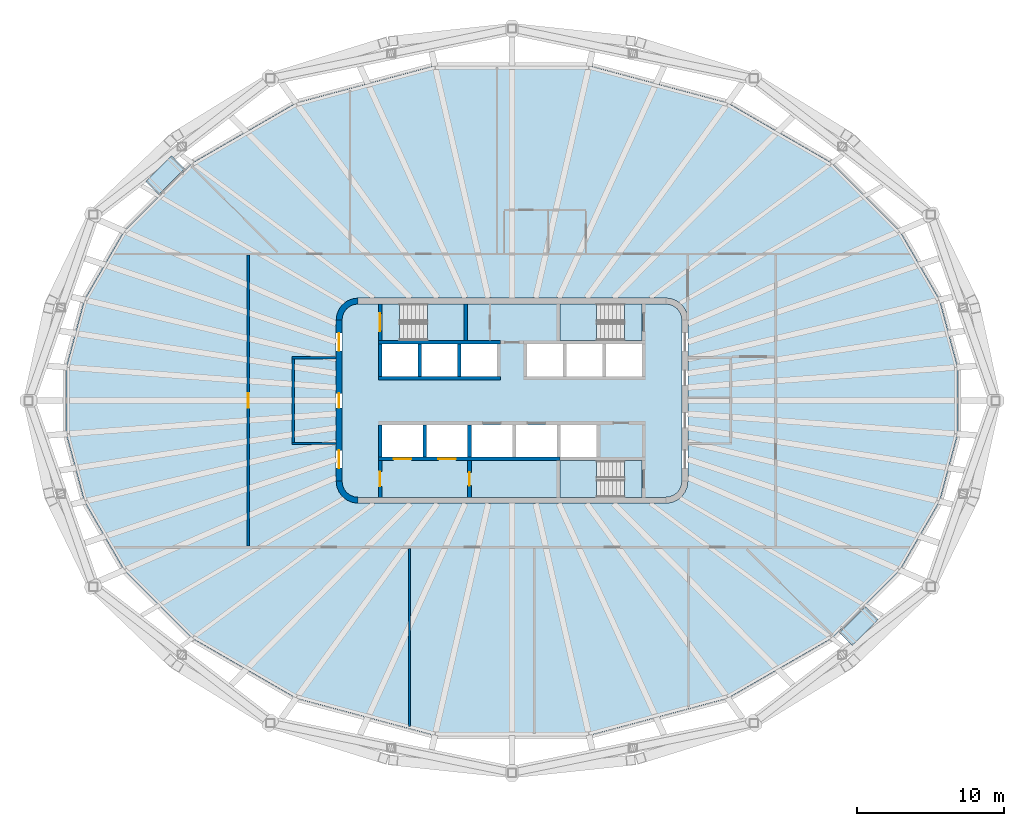
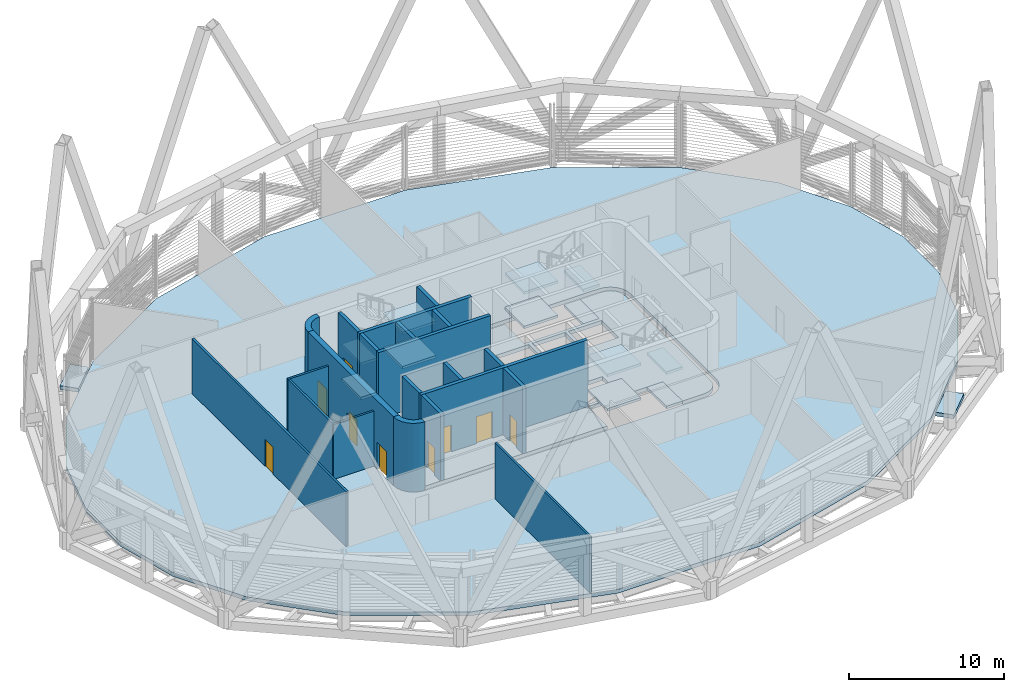
# One storey, part 5 of 17: 21 walls, 16 slabs, 9 doors, 9 openings, 3 elements without a shape of their own.
"""IFC4 building model written with IfcOpenShell, lengths in metres."""

from ifc_helpers import new_model, si_unit, direction, frame, frame_2d, origin, place, context, subcontext, project, spatial, polyline, rectangle, outline, extrude, material, layer, layer_set, type_object, element, fill, aggregate, save


model = new_model("IFC4")

# Units and contexts
model_context = context("Model", 3, precision=1e-05, world=origin(), true_north=direction((0.0, 1.0)))
body_context = subcontext(model_context, "Body", "Model", "MODEL_VIEW")
ifc_project = project(units=[si_unit("LENGTHUNIT", "METRE"), si_unit("AREAUNIT", "SQUARE_METRE"), si_unit("VOLUMEUNIT", "CUBIC_METRE"), si_unit("PLANEANGLEUNIT", "RADIAN"), si_unit("MASSUNIT", "GRAM", prefix="KILO")], contexts=[model_context])

# Site, building, storey
site_placement = place(None, origin())
site = spatial("IfcSite", under=ifc_project, at=site_placement, CompositionType="ELEMENT")
building_placement = place(site_placement, origin())
building = spatial("IfcBuilding", under=site, at=building_placement, Name="Sahrelin Media Tower", CompositionType="ELEMENT")
storey_placement = place(building_placement, frame((0.0, 0.0, 249.60009765625)))
storey = spatial("IfcBuildingStorey", under=building, at=storey_placement, Name="L54", CompositionType="ELEMENT", Elevation=249.60009765625)

# Slabs
ifc_material_1 = material(Name="Concrete C40/50", Category="concrete")
ifc_layer_1 = layer(ifc_material_1, 0.300048828125)
ifc_layer_set_1 = layer_set([ifc_layer_1], Name="Composite floor slab 300")
slab_type_1 = type_object("IfcSlabType", Name="Composite floor slab 300", PredefinedType="FLOOR", material=ifc_layer_set_1)
placement_1 = place(storey_placement, frame((0.0, 0.0, -0.300048828125)))
element("IfcSlab", 1, at=placement_1, inside=storey, type_object=slab_type_1, Name="Floor slab L54", PredefinedType="FLOOR", context=body_context, shape_type="SweptSolid", body=[
    extrude(outline(polyline([(30.422607421875, -2.27685546875), (30.422607421875, 2.27685546875), (29.190185546875, 6.876220703125), (26.481689453125, 11.5673828125), (21.8310546875, 16.218017578125), (14.7373046875, 20.313720703125), (5.263427734375, 22.85205078125), (-5.263427734375, 22.85205078125), (-14.7373046875, 20.313720703125), (-21.8310546875, 16.218017578125), (-26.481689453125, 11.5673828125), (-29.190185546875, 6.876220703125), (-30.422607421875, 2.27685546875), (-30.422607421875, -2.27685546875), (-29.190185546875, -6.876220703125), (-26.481689453125, -11.5673828125), (-21.8310546875, -16.218017578125), (-14.7373046875, -20.313720703125), (-5.263427734375, -22.85205078125), (5.263427734375, -22.85205078125), (14.7373046875, -20.313720703125), (21.8310546875, -16.218017578125), (26.481689453125, -11.5673828125), (29.190185546875, -6.876220703125), (30.422607421875, -2.27685546875)]), holes=[polyline([(11.948974609375, 5.88818359375), (12.0, 5.5), (12.0, -5.5), (11.948974609375, -5.88818359375), (11.799072265625, -6.25), (11.560791015625, -6.560791015625), (11.25, -6.799072265625), (10.88818359375, -6.948974609375), (10.5, -7.0), (-10.5, -7.0), (-10.88818359375, -6.948974609375), (-11.25, -6.799072265625), (-11.560791015625, -6.560791015625), (-11.799072265625, -6.25), (-11.948974609375, -5.88818359375), (-12.0, -5.5), (-12.0, 5.5), (-11.948974609375, 5.88818359375), (-11.799072265625, 6.25), (-11.560791015625, 6.560791015625), (-11.25, 6.799072265625), (-10.88818359375, 6.948974609375), (-10.5, 7.0), (10.5, 7.0), (10.88818359375, 6.948974609375), (11.25, 6.799072265625), (11.560791015625, 6.560791015625), (11.799072265625, 6.25), (11.948974609375, 5.88818359375)])]), origin(), (0.0, 0.0, 1.0), 0.300048828125),
])
ifc_layer_2 = layer(ifc_material_1, 0.300048828125)
ifc_layer_set_2 = layer_set([ifc_layer_2], Name="Core floor slab 300")
slab_type_2 = type_object("IfcSlabType", Name="Core floor slab 300", PredefinedType="FLOOR", material=ifc_layer_set_2)
element("IfcSlab", 2, at=placement_1, inside=storey, type_object=slab_type_2, Name="Core floor", PredefinedType="FLOOR", context=body_context, shape_type="SweptSolid", body=[
    extrude(outline(polyline([(-11.60009765625, -5.473876953125), (-11.55908203125, -5.78369140625), (-11.44970703125, -6.04833984375), (-11.275390625, -6.275390625), (-11.04833984375, -6.44970703125), (-10.78369140625, -6.55908203125), (-10.473876953125, -6.60009765625), (3.27490234375, -6.60009765625), (3.27490234375, -4.10009765625), (8.875, -4.10009765625), (8.875, -6.60009765625), (10.473876953125, -6.60009765625), (10.78369140625, -6.55908203125), (11.04833984375, -6.44970703125), (11.275390625, -6.275390625), (11.44970703125, -6.04833984375), (11.55908203125, -5.78369140625), (11.60009765625, -5.473876953125), (11.60009765625, 5.473876953125), (11.55908203125, 5.78369140625), (11.44970703125, 6.04833984375), (11.275390625, 6.275390625), (11.04833984375, 6.44970703125), (10.78369140625, 6.55908203125), (10.473876953125, 6.60009765625), (8.875, 6.60009765625), (8.875, 4.10009765625), (3.27490234375, 4.10009765625), (3.27490234375, 6.60009765625), (-3.27490234375, 6.60009765625), (-3.27490234375, 4.10009765625), (-8.875, 4.10009765625), (-8.875, 6.60009765625), (-10.473876953125, 6.60009765625), (-10.78369140625, 6.55908203125), (-11.04833984375, 6.44970703125), (-11.275390625, 6.275390625), (-11.44970703125, 6.04833984375), (-11.55908203125, 5.78369140625), (-11.60009765625, 5.473876953125), (-11.60009765625, -5.473876953125)]), holes=[polyline([(-8.875, 3.85009765625), (-8.875, 1.64990234375), (-6.425048828125, 1.64990234375), (-6.425048828125, 3.85009765625), (-8.875, 3.85009765625)]), polyline([(-3.72509765625, 3.85009765625), (-6.175048828125, 3.85009765625), (-6.175048828125, 1.64990234375), (-3.72509765625, 1.64990234375), (-3.72509765625, 3.85009765625)]), polyline([(-1.02490234375, 1.64990234375), (-1.02490234375, 3.85009765625), (-3.47509765625, 3.85009765625), (-3.47509765625, 1.64990234375), (-1.02490234375, 1.64990234375)]), polyline([(1.02490234375, 1.64990234375), (3.47509765625, 1.64990234375), (3.47509765625, 3.85009765625), (1.02490234375, 3.85009765625), (1.02490234375, 1.64990234375)]), polyline([(3.72509765625, 3.85009765625), (3.72509765625, 1.64990234375), (6.175048828125, 1.64990234375), (6.175048828125, 3.85009765625), (3.72509765625, 3.85009765625)]), polyline([(8.875, 3.85009765625), (6.425048828125, 3.85009765625), (6.425048828125, 1.64990234375), (8.875, 1.64990234375), (8.875, 3.85009765625)]), polyline([(-6.074951171875, -3.85009765625), (-6.074951171875, -1.64990234375), (-8.875, -1.64990234375), (-8.875, -3.85009765625), (-6.074951171875, -3.85009765625)]), polyline([(-5.824951171875, -3.85009765625), (-3.02490234375, -3.85009765625), (-3.02490234375, -1.64990234375), (-5.824951171875, -1.64990234375), (-5.824951171875, -3.85009765625)]), polyline([(-2.77490234375, -1.64990234375), (-2.77490234375, -3.85009765625), (0.02490234375, -3.85009765625), (0.02490234375, -1.64990234375), (-2.77490234375, -1.64990234375)]), polyline([(3.074951171875, -1.64990234375), (0.27490234375, -1.64990234375), (0.27490234375, -3.85009765625), (3.074951171875, -3.85009765625), (3.074951171875, -1.64990234375)]), polyline([(5.77490234375, -3.85009765625), (5.77490234375, -1.64990234375), (3.324951171875, -1.64990234375), (3.324951171875, -3.85009765625), (5.77490234375, -3.85009765625)])]), origin(), (0.0, 0.0, 1.0), 0.300048828125),
])
ifc_material_2 = material(Name="Steel S355", Category="steel")
ifc_layer_3 = layer(ifc_material_2, 0.14990234375)
ifc_layer_set_3 = layer_set([ifc_layer_3], Name="Maintenance platform")
slab_type_3 = type_object("IfcSlabType", Name="Maintenance platform", PredefinedType="FLOOR", material=ifc_layer_set_3)
element("IfcSlab", 3, at=placement_1, inside=storey, type_object=slab_type_3, Name="Maintenance platform L54-09", PredefinedType="FLOOR", context=body_context, shape_type="SweptSolid", body=[
    extrude(outline(polyline([(-22.349609375, 15.833740234375), (-24.117431640625, 14.06591796875), (-24.994140625, 14.942626953125), (-23.226318359375, 16.71044921875), (-22.349609375, 15.833740234375)])), origin(), (0.0, 0.0, 1.0), 0.300048828125),
])
element("IfcSlab", 4, at=placement_1, inside=storey, type_object=slab_type_3, Name="Maintenance platform L54-21", PredefinedType="FLOOR", context=body_context, shape_type="SweptSolid", body=[
    extrude(outline(polyline([(22.349609375, -15.833740234375), (24.117431640625, -14.06591796875), (24.994140625, -14.942626953125), (23.226318359375, -16.71044921875), (22.349609375, -15.833740234375)])), origin(), (0.0, 0.0, 1.0), 0.300048828125),
])

# Stair, slabs
stair_type = type_object("IfcStairType", Name="Exit stair 1200", PredefinedType="HALF_TURN_STAIR", material=ifc_material_1)
placement_2 = place(storey_placement, origin())
stair_1 = element("IfcStair", 5, at=placement_2, inside=storey, type_object=stair_type, Name="L54 Exit stair ST1", PredefinedType="HALF_TURN_STAIR")
ifc_layer_4 = layer(ifc_material_1, 0.199951171875)
ifc_layer_set_4 = layer_set([ifc_layer_4], Name="Stair landing 200")
slab_type_4 = type_object("IfcSlabType", Name="Stair landing 200", PredefinedType="LANDING", material=ifc_layer_set_4)
placement_3 = place(storey_placement, frame((0.0, 0.0, 1.14990234375)))
slab_5 = element("IfcSlab", 6, at=placement_3, type_object=slab_type_4, Name="ST1 landing 1", PredefinedType="LANDING", context=body_context, shape_type="SweptSolid", body=[
    extrude(outline(polyline([(-5.77490234375, 4.10009765625), (-3.27490234375, 4.10009765625), (-3.27490234375, 6.60009765625), (-5.77490234375, 6.60009765625), (-5.77490234375, 4.10009765625)])), origin(), (0.0, 0.0, 1.0), 0.199951171875),
])
placement_4 = place(storey_placement, frame((0.0, 0.0, 2.5)))
slab_6 = element("IfcSlab", 7, at=placement_4, type_object=slab_type_4, Name="ST1 landing 2", PredefinedType="LANDING", context=body_context, shape_type="SweptSolid", body=[
    extrude(outline(polyline([(-8.875, 4.10009765625), (-7.675048828125, 4.10009765625), (-7.675048828125, 6.60009765625), (-8.875, 6.60009765625), (-8.875, 4.10009765625)])), origin(), (0.0, 0.0, 1.0), 0.199951171875),
])
placement_5 = place(storey_placement, frame((0.0, 0.0, 3.849853515625)))
slab_7 = element("IfcSlab", 8, at=placement_5, type_object=slab_type_4, Name="ST1 landing 3", PredefinedType="LANDING", context=body_context, shape_type="SweptSolid", body=[
    extrude(outline(polyline([(-5.77490234375, 4.10009765625), (-3.27490234375, 4.10009765625), (-3.27490234375, 6.60009765625), (-5.77490234375, 6.60009765625), (-5.77490234375, 4.10009765625)])), origin(), (0.0, 0.0, 1.0), 0.199951171875),
])
placement_6 = place(storey_placement, frame((0.0, 0.0, -0.2001953125)))
slab_8 = element("IfcSlab", 9, at=placement_6, type_object=slab_type_4, Name="ST1 landing 4", PredefinedType="LANDING", context=body_context, shape_type="SweptSolid", body=[
    extrude(outline(polyline([(-8.875, 4.10009765625), (-7.675048828125, 4.10009765625), (-7.675048828125, 6.60009765625), (-8.875, 6.60009765625), (-8.875, 4.10009765625)])), origin(), (0.0, 0.0, 1.0), 0.2001953125),
])
aggregate(stair_1, [slab_5, slab_6, slab_7, slab_8])

stair_2 = element("IfcStair", 10, at=placement_2, inside=storey, type_object=stair_type, Name="L54 Exit stair ST3", PredefinedType="HALF_TURN_STAIR")
slab_9 = element("IfcSlab", 11, at=placement_3, type_object=slab_type_4, Name="ST3 landing 1", PredefinedType="LANDING", context=body_context, shape_type="SweptSolid", body=[
    extrude(outline(polyline([(5.77490234375, 6.60009765625), (3.27490234375, 6.60009765625), (3.27490234375, 4.10009765625), (5.77490234375, 4.10009765625), (5.77490234375, 6.60009765625)])), origin(), (0.0, 0.0, 1.0), 0.199951171875),
])
slab_10 = element("IfcSlab", 12, at=placement_4, type_object=slab_type_4, Name="ST3 landing 2", PredefinedType="LANDING", context=body_context, shape_type="SweptSolid", body=[
    extrude(outline(polyline([(8.875, 6.60009765625), (7.675048828125, 6.60009765625), (7.675048828125, 4.10009765625), (8.875, 4.10009765625), (8.875, 6.60009765625)])), origin(), (0.0, 0.0, 1.0), 0.199951171875),
])
slab_11 = element("IfcSlab", 13, at=placement_5, type_object=slab_type_4, Name="ST3 landing 3", PredefinedType="LANDING", context=body_context, shape_type="SweptSolid", body=[
    extrude(outline(polyline([(5.77490234375, 6.60009765625), (3.27490234375, 6.60009765625), (3.27490234375, 4.10009765625), (5.77490234375, 4.10009765625), (5.77490234375, 6.60009765625)])), origin(), (0.0, 0.0, 1.0), 0.199951171875),
])
slab_12 = element("IfcSlab", 14, at=placement_6, type_object=slab_type_4, Name="ST3 landing 4", PredefinedType="LANDING", context=body_context, shape_type="SweptSolid", body=[
    extrude(outline(polyline([(8.875, 6.60009765625), (7.675048828125, 6.60009765625), (7.675048828125, 4.10009765625), (8.875, 4.10009765625), (8.875, 6.60009765625)])), origin(), (0.0, 0.0, 1.0), 0.2001953125),
])
aggregate(stair_2, [slab_9, slab_10, slab_11, slab_12])

stair_3 = element("IfcStair", 15, at=placement_2, inside=storey, type_object=stair_type, Name="L54 Exit stair ST2", PredefinedType="HALF_TURN_STAIR")
slab_13 = element("IfcSlab", 16, at=placement_3, type_object=slab_type_4, Name="ST2 landing 1", PredefinedType="LANDING", context=body_context, shape_type="SweptSolid", body=[
    extrude(outline(polyline([(5.77490234375, -4.10009765625), (3.27490234375, -4.10009765625), (3.27490234375, -6.60009765625), (5.77490234375, -6.60009765625), (5.77490234375, -4.10009765625)])), origin(), (0.0, 0.0, 1.0), 0.199951171875),
])
slab_14 = element("IfcSlab", 17, at=placement_4, type_object=slab_type_4, Name="ST2 landing 2", PredefinedType="LANDING", context=body_context, shape_type="SweptSolid", body=[
    extrude(outline(polyline([(8.875, -4.10009765625), (7.675048828125, -4.10009765625), (7.675048828125, -6.60009765625), (8.875, -6.60009765625), (8.875, -4.10009765625)])), origin(), (0.0, 0.0, 1.0), 0.199951171875),
])
slab_15 = element("IfcSlab", 18, at=placement_5, type_object=slab_type_4, Name="ST2 landing 3", PredefinedType="LANDING", context=body_context, shape_type="SweptSolid", body=[
    extrude(outline(polyline([(5.77490234375, -4.10009765625), (3.27490234375, -4.10009765625), (3.27490234375, -6.60009765625), (5.77490234375, -6.60009765625), (5.77490234375, -4.10009765625)])), origin(), (0.0, 0.0, 1.0), 0.199951171875),
])
slab_16 = element("IfcSlab", 19, at=placement_6, type_object=slab_type_4, Name="ST2 landing 4", PredefinedType="LANDING", context=body_context, shape_type="SweptSolid", body=[
    extrude(outline(polyline([(8.875, -4.10009765625), (7.675048828125, -4.10009765625), (7.675048828125, -6.60009765625), (8.875, -6.60009765625), (8.875, -4.10009765625)])), origin(), (0.0, 0.0, 1.0), 0.2001953125),
])
aggregate(stair_3, [slab_13, slab_14, slab_15, slab_16])

# Wall, openings, doors
ifc_material_3 = material(Name="Concrete C60/75", Category="concrete")
ifc_layer_5 = layer(ifc_material_3, 0.39990234375)
ifc_layer_set_5 = layer_set([ifc_layer_5], Name="Core wall 400")
wall_type_1 = type_object("IfcWallType", Name="Core wall 400", PredefinedType="SHEAR", material=ifc_layer_set_5)
wall_1_placement = place(storey_placement, frame((-11.800048828125, -5.5, 0.0), z_axis=(0.0, 0.0, 1.0), x_axis=(0.0, 1.0, 0.0)))
wall_1 = element("IfcWall", 20, at=wall_1_placement, inside=storey, type_object=wall_type_1, Name="Core wall W L54", PredefinedType="SHEAR", context=body_context, shape_type="SweptSolid", body=[
    extrude(rectangle(XDim=11.0, YDim=0.39990234375, at=frame_2d((5.5, 0.0))), origin(), (0.0, 0.0, 1.0), 5.39990234375),
])
opening_1_placement = place(wall_1_placement, frame((5.0, 0.0, 0.0)))
opening_1 = element("IfcOpeningElement", 21, at=opening_1_placement, cuts=wall_1, Name="Opening L54-D09", PredefinedType="OPENING", context=body_context, shape_type="SweptSolid", body=[
    extrude(rectangle(XDim=1.0, YDim=2.10009765625, at=frame_2d((0.5, 1.050048828125))), frame((0.0, 0.199951171875, 0.0), z_axis=(0.0, -1.0, 0.0), x_axis=(1.0, 0.0, 0.0)), (0.0, 0.0, 1.0), 0.39990234375),
])
opening_2_placement = place(wall_1_placement, frame((0.89990234375, 0.0, 0.0)))
opening_2 = element("IfcOpeningElement", 22, at=opening_2_placement, cuts=wall_1, Name="Opening L54-D12", PredefinedType="OPENING", context=body_context, shape_type="SweptSolid", body=[
    extrude(rectangle(XDim=1.199951171875, YDim=2.10009765625, at=frame_2d((0.60009765625, 1.050048828125))), frame((0.0, 0.199951171875, 0.0), z_axis=(0.0, -1.0, 0.0), x_axis=(1.0, 0.0, 0.0)), (0.0, 0.0, 1.0), 0.39990234375),
])
opening_3_placement = place(wall_1_placement, frame((8.89990234375, 0.0, 0.0)))
opening_3 = element("IfcOpeningElement", 23, at=opening_3_placement, cuts=wall_1, Name="Opening L54-D13", PredefinedType="OPENING", context=body_context, shape_type="SweptSolid", body=[
    extrude(rectangle(XDim=1.199951171875, YDim=2.10009765625, at=frame_2d((0.60009765625, 1.050048828125))), frame((0.0, 0.199951171875, 0.0), z_axis=(0.0, -1.0, 0.0), x_axis=(1.0, 0.0, 0.0)), (0.0, 0.0, 1.0), 0.39990234375),
])
ifc_material_4 = material(Name="Steel fire door leaf", Category="steel")
door_type_1 = type_object("IfcDoorType", Name="Fire door 1000 x 2100 EI 60", OperationType="NOTDEFINED", PredefinedType="DOOR", material=ifc_material_4)
door_1_placement = place(opening_1_placement, origin())
door_1 = element("IfcDoor", 24, at=door_1_placement, inside=storey, type_object=door_type_1, Name="Core room door", OperationType="SINGLE_SWING_RIGHT", OverallHeight=2.10009765625, OverallWidth=1.0, PredefinedType="DOOR", context=body_context, shape_type="SweptSolid", body=[
    extrude(rectangle(XDim=1.0, YDim=2.10009765625, at=frame_2d((0.5, 1.050048828125))), frame((0.0, 0.02490234375, 0.0), z_axis=(0.0, -1.0, 0.0), x_axis=(1.0, 0.0, 0.0)), (0.0, 0.0, 1.0), 0.050048828125),
])
fill(opening_1, door_1)
door_type_2 = type_object("IfcDoorType", Name="Lobby door 1200 x 2100 EI 60", OperationType="NOTDEFINED", PredefinedType="DOOR", material=ifc_material_4)
door_2_placement = place(opening_2_placement, origin())
door_2 = element("IfcDoor", 25, at=door_2_placement, inside=storey, type_object=door_type_2, Name="Lobby door", OperationType="SINGLE_SWING_LEFT", OverallHeight=2.10009765625, OverallWidth=1.199951171875, PredefinedType="DOOR", context=body_context, shape_type="SweptSolid", body=[
    extrude(rectangle(XDim=1.199951171875, YDim=2.10009765625, at=frame_2d((0.60009765625, 1.050048828125))), frame((0.0, 0.02490234375, 0.0), z_axis=(0.0, -1.0, 0.0), x_axis=(1.0, 0.0, 0.0)), (0.0, 0.0, 1.0), 0.050048828125),
])
fill(opening_2, door_2)
door_3_placement = place(opening_3_placement, origin())
door_3 = element("IfcDoor", 26, at=door_3_placement, inside=storey, type_object=door_type_2, Name="Lobby door", OperationType="SINGLE_SWING_LEFT", OverallHeight=2.10009765625, OverallWidth=1.199951171875, PredefinedType="DOOR", context=body_context, shape_type="SweptSolid", body=[
    extrude(rectangle(XDim=1.199951171875, YDim=2.10009765625, at=frame_2d((0.60009765625, 1.050048828125))), frame((0.0, 0.02490234375, 0.0), z_axis=(0.0, -1.0, 0.0), x_axis=(1.0, 0.0, 0.0)), (0.0, 0.0, 1.0), 0.050048828125),
])
fill(opening_3, door_3)

# Walls
element("IfcWall", 27, at=placement_2, inside=storey, type_object=wall_type_1, Name="Core wall corner NW L54", PredefinedType="SHEAR", context=body_context, shape_type="SweptSolid", body=[
    extrude(outline(polyline([(-12.0, 5.5), (-11.596435546875, 5.5), (-11.55908203125, 5.78369140625), (-11.44970703125, 6.04833984375), (-11.275390625, 6.275390625), (-11.04833984375, 6.44970703125), (-10.78369140625, 6.55908203125), (-10.5, 6.596435546875), (-10.5, 7.0), (-10.88818359375, 6.948974609375), (-11.25, 6.799072265625), (-11.560791015625, 6.560791015625), (-11.799072265625, 6.25), (-11.948974609375, 5.88818359375), (-12.0, 5.5)])), origin(), (0.0, 0.0, 1.0), 5.39990234375),
])
element("IfcWall", 28, at=placement_2, inside=storey, type_object=wall_type_1, Name="Core wall corner SW L54", PredefinedType="SHEAR", context=body_context, shape_type="SweptSolid", body=[
    extrude(outline(polyline([(-10.5, -7.0), (-10.5, -6.596435546875), (-10.78369140625, -6.55908203125), (-11.04833984375, -6.44970703125), (-11.275390625, -6.275390625), (-11.44970703125, -6.04833984375), (-11.55908203125, -5.78369140625), (-11.596435546875, -5.5), (-12.0, -5.5), (-11.948974609375, -5.88818359375), (-11.799072265625, -6.25), (-11.560791015625, -6.560791015625), (-11.25, -6.799072265625), (-10.88818359375, -6.948974609375), (-10.5, -7.0)])), origin(), (0.0, 0.0, 1.0), 5.39990234375),
])
ifc_material_5 = material(Name="Fire-rated gypsum board partition")
ifc_layer_6 = layer(ifc_material_5, 0.14990234375)
ifc_layer_set_6 = layer_set([ifc_layer_6], Name="Fire-rated partition 150")
wall_type_2 = type_object("IfcWallType", Name="Fire-rated partition 150", PredefinedType="PARTITIONING", material=ifc_layer_set_6)
wall_4_placement = place(storey_placement, frame((-14.925048828125, -2.85009765625, 0.0), z_axis=(0.0, 0.0, 1.0), x_axis=(0.0, 1.0, 0.0)))
element("IfcWall", 29, at=wall_4_placement, inside=storey, type_object=wall_type_2, Name="Core room fire partition", PredefinedType="PARTITIONING", context=body_context, shape_type="SweptSolid", body=[
    extrude(rectangle(XDim=5.7001953125, YDim=0.14990234375, at=frame_2d((2.85009765625, 0.0))), origin(), (0.0, 0.0, 1.0), 4.318115234375),
])
for number, where, z_axis, x_axis, name in (
    (30, (-15.0, 2.925048828125, 0.0), (0.0, 0.0, 1.0), (1.0, 0.0, 0.0), "Core room fire partition"),
    (31, (-15.0, -2.925048828125, 0.0), (0.0, 0.0, 1.0), (1.0, 0.0, 0.0), "Core room fire partition"),
):
    element("IfcWall", number, at=place(storey_placement, frame(where, z_axis=z_axis, x_axis=x_axis)), inside=storey, type_object=wall_type_2, Name=name, PredefinedType="PARTITIONING", context=body_context, shape_type="SweptSolid", body=[
        extrude(rectangle(XDim=3.0, YDim=0.14990234375, at=frame_2d((1.5, 0.0))), origin(), (0.0, 0.0, 1.0), 4.326904296875),
    ])

# Wall, opening, door
wall_5_placement = place(storey_placement, frame((-18.0, -9.925048828125, 0.0), z_axis=(0.0, 0.0, 1.0), x_axis=(0.0, 1.0, 0.0)))
wall_5 = element("IfcWall", 32, at=wall_5_placement, inside=storey, type_object=wall_type_2, Name="Wall", PredefinedType="PARTITIONING", context=body_context, shape_type="SweptSolid", body=[
    extrude(rectangle(XDim=19.85009765625, YDim=0.14990234375, at=frame_2d((9.925048828125, 0.0))), origin(), (0.0, 0.0, 1.0), 4.318115234375),
])
opening_4_placement = place(wall_5_placement, frame((9.425048828125, 0.0, 0.0)))
opening_4 = element("IfcOpeningElement", 33, at=opening_4_placement, cuts=wall_5, Name="Opening L54-D23", PredefinedType="OPENING", context=body_context, shape_type="SweptSolid", body=[
    extrude(rectangle(XDim=1.0, YDim=2.10009765625, at=frame_2d((0.5, 1.050048828125))), frame((0.0, 0.074951171875, 0.0), z_axis=(0.0, -1.0, 0.0), x_axis=(1.0, 0.0, 0.0)), (0.0, 0.0, 1.0), 0.14990234375),
])
door_4_placement = place(opening_4_placement, origin())
door_4 = element("IfcDoor", 34, at=door_4_placement, inside=storey, type_object=door_type_1, Name="Fire door", OperationType="SINGLE_SWING_RIGHT", OverallHeight=2.10009765625, OverallWidth=1.0, PredefinedType="DOOR", context=body_context, shape_type="SweptSolid", body=[
    extrude(rectangle(XDim=1.0, YDim=2.10009765625, at=frame_2d((0.5, 1.050048828125))), frame((0.0, 0.02490234375, 0.0), z_axis=(0.0, -1.0, 0.0), x_axis=(1.0, 0.0, 0.0)), (0.0, 0.0, 1.0), 0.050048828125),
])
fill(opening_4, door_4)

# Wall
wall_6_placement = place(storey_placement, frame((-7.0, -10.074951171875, 0.0), z_axis=(0.0, 0.0, 1.0), x_axis=(0.0, -1.0, 0.0)))
element("IfcWall", 35, at=wall_6_placement, inside=storey, type_object=wall_type_2, Name="Wall", PredefinedType="PARTITIONING", context=body_context, shape_type="SweptSolid", body=[
    extrude(rectangle(XDim=12.17724609375, YDim=0.14990234375, at=frame_2d((6.088623046875, 0.0))), origin(), (0.0, 0.0, 1.0), 4.39501953125),
])

# Wall, opening, door
ifc_layer_7 = layer(ifc_material_5, 0.25)
ifc_layer_set_7 = layer_set([ifc_layer_7], Name="Firefighting lobby wall 250")
wall_type_3 = type_object("IfcWallType", Name="Firefighting lobby wall 250", PredefinedType="PARTITIONING", material=ifc_layer_set_7)
wall_7_placement = place(storey_placement, frame((-9.0, -6.60009765625, 0.0), z_axis=(0.0, 0.0, 1.0), x_axis=(0.0, 1.0, 0.0)))
wall_7 = element("IfcWall", 36, at=wall_7_placement, inside=storey, type_object=wall_type_3, Name="Core wall", PredefinedType="PARTITIONING", context=body_context, shape_type="SweptSolid", body=[
    extrude(rectangle(XDim=2.5, YDim=0.25, at=frame_2d((1.25, 0.0))), origin(), (0.0, 0.0, 1.0), 5.25),
])
opening_5_placement = place(wall_7_placement, frame((0.75, 0.0, 0.0)))
opening_5 = element("IfcOpeningElement", 37, at=opening_5_placement, cuts=wall_7, Name="Opening L54-D04", PredefinedType="OPENING", context=body_context, shape_type="SweptSolid", body=[
    extrude(rectangle(XDim=1.0, YDim=2.10009765625, at=frame_2d((0.5, 1.050048828125))), frame((0.0, 0.125, 0.0), z_axis=(0.0, -1.0, 0.0), x_axis=(1.0, 0.0, 0.0)), (0.0, 0.0, 1.0), 0.25),
])
door_type_3 = type_object("IfcDoorType", Name="Firefighting lobby door 1000 x 2100 EI 120", OperationType="NOTDEFINED", PredefinedType="DOOR", material=ifc_material_4)
door_5_placement = place(opening_5_placement, origin())
door_5 = element("IfcDoor", 38, at=door_5_placement, inside=storey, type_object=door_type_3, Name="Firefighting lobby door", OperationType="SINGLE_SWING_LEFT", OverallHeight=2.10009765625, OverallWidth=1.0, PredefinedType="DOOR", context=body_context, shape_type="SweptSolid", body=[
    extrude(rectangle(XDim=1.0, YDim=2.10009765625, at=frame_2d((0.5, 1.050048828125))), frame((0.0, 0.02490234375, 0.0), z_axis=(0.0, -1.0, 0.0), x_axis=(1.0, 0.0, 0.0)), (0.0, 0.0, 1.0), 0.050048828125),
])
fill(opening_5, door_5)

wall_8_placement = place(storey_placement, frame((-2.89990234375, -6.60009765625, 0.0), z_axis=(0.0, 0.0, 1.0), x_axis=(0.0, 1.0, 0.0)))
wall_8 = element("IfcWall", 39, at=wall_8_placement, inside=storey, type_object=wall_type_3, Name="Core wall", PredefinedType="PARTITIONING", context=body_context, shape_type="SweptSolid", body=[
    extrude(rectangle(XDim=2.5, YDim=0.25, at=frame_2d((1.25, 0.0))), origin(), (0.0, 0.0, 1.0), 5.25),
])
opening_6_placement = place(wall_8_placement, frame((0.800048828125, 0.0, 0.0)))
opening_6 = element("IfcOpeningElement", 40, at=opening_6_placement, cuts=wall_8, Name="Opening L54-D05", PredefinedType="OPENING", context=body_context, shape_type="SweptSolid", body=[
    extrude(rectangle(XDim=0.89990234375, YDim=2.10009765625, at=frame_2d((0.449951171875, 1.050048828125))), frame((0.0, 0.125, 0.0), z_axis=(0.0, -1.0, 0.0), x_axis=(1.0, 0.0, 0.0)), (0.0, 0.0, 1.0), 0.25),
])
door_type_4 = type_object("IfcDoorType", Name="Firefighting lobby door 900 x 2100 EI 120", OperationType="NOTDEFINED", PredefinedType="DOOR", material=ifc_material_4)
door_6_placement = place(opening_6_placement, origin())
door_6 = element("IfcDoor", 41, at=door_6_placement, inside=storey, type_object=door_type_4, Name="Riser door", OperationType="SINGLE_SWING_RIGHT", OverallHeight=2.10009765625, OverallWidth=0.89990234375, PredefinedType="DOOR", context=body_context, shape_type="SweptSolid", body=[
    extrude(rectangle(XDim=0.89990234375, YDim=2.10009765625, at=frame_2d((0.449951171875, 1.050048828125))), frame((0.0, 0.02490234375, 0.0), z_axis=(0.0, -1.0, 0.0), x_axis=(1.0, 0.0, 0.0)), (0.0, 0.0, 1.0), 0.050048828125),
])
fill(opening_6, door_6)

# Walls
ifc_layer_8 = layer(ifc_material_3, 0.25)
ifc_layer_set_8 = layer_set([ifc_layer_8], Name="Lift shaft wall 250")
wall_type_4 = type_object("IfcWallType", Name="Lift shaft wall 250", PredefinedType="SOLIDWALL", material=ifc_layer_set_8)
for number, where, z_axis, x_axis, name in (
    (42, (-9.125, 1.52490234375, 0.0), (0.0, 0.0, 1.0), (1.0, 0.0, 0.0), "Lift shaft wall"),
    (43, (-9.125, 3.97509765625, 0.0), (0.0, 0.0, 1.0), (1.0, 0.0, 0.0), "Lift shaft wall"),
):
    element("IfcWall", number, at=place(storey_placement, frame(where, z_axis=z_axis, x_axis=x_axis)), inside=storey, type_object=wall_type_4, Name=name, PredefinedType="SOLIDWALL", context=body_context, shape_type="SweptSolid", body=[
        extrude(rectangle(XDim=8.35009765625, YDim=0.25, at=frame_2d((4.175048828125, 0.0))), origin(), (0.0, 0.0, 1.0), 5.25),
    ])
for number, where, z_axis, x_axis, name in (
    (44, (-9.0, 1.64990234375, 0.0), (0.0, 0.0, 1.0), (0.0, 1.0, 0.0), "Lift shaft wall"),
    (45, (-6.300048828125, 1.64990234375, 0.0), (0.0, 0.0, 1.0), (0.0, 1.0, 0.0), "Lift shaft wall"),
    (46, (-3.60009765625, 1.64990234375, 0.0), (0.0, 0.0, 1.0), (0.0, 1.0, 0.0), "Lift shaft wall"),
):
    element("IfcWall", number, at=place(storey_placement, frame(where, z_axis=z_axis, x_axis=x_axis)), inside=storey, type_object=wall_type_4, Name=name, PredefinedType="SOLIDWALL", context=body_context, shape_type="SweptSolid", body=[
        extrude(rectangle(XDim=2.2001953125, YDim=0.25, at=frame_2d((1.10009765625, 0.0))), origin(), (0.0, 0.0, 1.0), 5.25),
    ])

# Wall, openings, doors
wall_9_placement = place(storey_placement, frame((-9.125, -3.97509765625, 0.0), z_axis=(0.0, 0.0, 1.0), x_axis=(1.0, 0.0, 0.0)))
wall_9 = element("IfcWall", 47, at=wall_9_placement, inside=storey, type_object=wall_type_4, Name="Lift shaft wall", PredefinedType="SOLIDWALL", context=body_context, shape_type="SweptSolid", body=[
    extrude(rectangle(XDim=12.39990234375, YDim=0.25, at=frame_2d((6.199951171875, 0.0))), origin(), (0.0, 0.0, 1.0), 5.25),
])
opening_7_placement = place(wall_9_placement, frame((1.050048828125, 0.0, 0.0)))
opening_7 = element("IfcOpeningElement", 48, at=opening_7_placement, cuts=wall_9, Name="Opening L54-LD-FF1", PredefinedType="OPENING", context=body_context, shape_type="SweptSolid", body=[
    extrude(rectangle(XDim=1.199951171875, YDim=2.10009765625, at=frame_2d((0.60009765625, 1.050048828125))), frame((0.0, 0.125, 0.0), z_axis=(0.0, -1.0, 0.0), x_axis=(1.0, 0.0, 0.0)), (0.0, 0.0, 1.0), 0.25),
])
opening_8_placement = place(wall_9_placement, frame((4.10009765625, 0.0, 0.0)))
opening_8 = element("IfcOpeningElement", 49, at=opening_8_placement, cuts=wall_9, Name="Opening L54-LD-FF2", PredefinedType="OPENING", context=body_context, shape_type="SweptSolid", body=[
    extrude(rectangle(XDim=1.199951171875, YDim=2.10009765625, at=frame_2d((0.60009765625, 1.050048828125))), frame((0.0, 0.125, 0.0), z_axis=(0.0, -1.0, 0.0), x_axis=(1.0, 0.0, 0.0)), (0.0, 0.0, 1.0), 0.25),
])
ifc_material_6 = material(Name="Stainless steel", Category="steel")
door_type_5 = type_object("IfcDoorType", Name="Lift landing door 1200 x 2100 EI 120", OperationType="DOUBLE_DOOR_SLIDING", PredefinedType="DOOR", material=ifc_material_6)
door_7_placement = place(opening_7_placement, origin())
door_7 = element("IfcDoor", 50, at=door_7_placement, inside=storey, type_object=door_type_5, Name="Lift landing door FF1", OperationType="DOUBLE_DOOR_SLIDING", OverallHeight=2.10009765625, OverallWidth=1.199951171875, PredefinedType="DOOR", context=body_context, shape_type="SweptSolid", body=[
    extrude(rectangle(XDim=1.199951171875, YDim=2.10009765625, at=frame_2d((0.60009765625, 1.050048828125))), frame((0.0, 0.02490234375, 0.0), z_axis=(0.0, -1.0, 0.0), x_axis=(1.0, 0.0, 0.0)), (0.0, 0.0, 1.0), 0.050048828125),
])
fill(opening_7, door_7)
door_8_placement = place(opening_8_placement, origin())
door_8 = element("IfcDoor", 51, at=door_8_placement, inside=storey, type_object=door_type_5, Name="Lift landing door FF2", OperationType="DOUBLE_DOOR_SLIDING", OverallHeight=2.10009765625, OverallWidth=1.199951171875, PredefinedType="DOOR", context=body_context, shape_type="SweptSolid", body=[
    extrude(rectangle(XDim=1.199951171875, YDim=2.10009765625, at=frame_2d((0.60009765625, 1.050048828125))), frame((0.0, 0.02490234375, 0.0), z_axis=(0.0, -1.0, 0.0), x_axis=(1.0, 0.0, 0.0)), (0.0, 0.0, 1.0), 0.050048828125),
])
fill(opening_8, door_8)

# Walls
for number, where, z_axis, x_axis, name in (
    (52, (-9.0, -3.85009765625, 0.0), (0.0, 0.0, 1.0), (0.0, 1.0, 0.0), "Lift shaft wall"),
    (53, (-5.949951171875, -3.85009765625, 0.0), (0.0, 0.0, 1.0), (0.0, 1.0, 0.0), "Lift shaft wall"),
    (54, (-2.89990234375, -3.85009765625, 0.0), (0.0, 0.0, 1.0), (0.0, 1.0, 0.0), "Lift shaft wall"),
):
    element("IfcWall", number, at=place(storey_placement, frame(where, z_axis=z_axis, x_axis=x_axis)), inside=storey, type_object=wall_type_4, Name=name, PredefinedType="SOLIDWALL", context=body_context, shape_type="SweptSolid", body=[
        extrude(rectangle(XDim=2.2001953125, YDim=0.25, at=frame_2d((1.10009765625, 0.0))), origin(), (0.0, 0.0, 1.0), 5.25),
    ])

# Wall, opening, door
ifc_layer_9 = layer(ifc_material_3, 0.25)
ifc_layer_set_9 = layer_set([ifc_layer_9], Name="Stair enclosure wall 250")
wall_type_5 = type_object("IfcWallType", Name="Stair enclosure wall 250", PredefinedType="SOLIDWALL", material=ifc_layer_set_9)
wall_10_placement = place(storey_placement, frame((-9.0, 4.10009765625, 0.0), z_axis=(0.0, 0.0, 1.0), x_axis=(0.0, 1.0, 0.0)))
wall_10 = element("IfcWall", 55, at=wall_10_placement, inside=storey, type_object=wall_type_5, Name="Stair enclosure wall", PredefinedType="SOLIDWALL", context=body_context, shape_type="SweptSolid", body=[
    extrude(rectangle(XDim=2.5, YDim=0.25, at=frame_2d((1.25, 0.0))), origin(), (0.0, 0.0, 1.0), 5.25),
])
opening_9_placement = place(wall_10_placement, frame((0.64990234375, 0.0, 0.0)))
opening_9 = element("IfcOpeningElement", 56, at=opening_9_placement, cuts=wall_10, Name="Opening L54-D01", PredefinedType="OPENING", context=body_context, shape_type="SweptSolid", body=[
    extrude(rectangle(XDim=1.199951171875, YDim=2.10009765625, at=frame_2d((0.60009765625, 1.050048828125))), frame((0.0, 0.125, 0.0), z_axis=(0.0, -1.0, 0.0), x_axis=(1.0, 0.0, 0.0)), (0.0, 0.0, 1.0), 0.25),
])
door_type_6 = type_object("IfcDoorType", Name="Stair door 1200 x 2100 EI 120", OperationType="NOTDEFINED", PredefinedType="DOOR", material=ifc_material_4)
door_9_placement = place(opening_9_placement, origin())
door_9 = element("IfcDoor", 57, at=door_9_placement, inside=storey, type_object=door_type_6, Name="Stair door ST1", OperationType="SINGLE_SWING_RIGHT", OverallHeight=2.10009765625, OverallWidth=1.199951171875, PredefinedType="DOOR", context=body_context, shape_type="SweptSolid", body=[
    extrude(rectangle(XDim=1.199951171875, YDim=2.10009765625, at=frame_2d((0.60009765625, 1.050048828125))), frame((0.0, 0.02490234375, 0.0), z_axis=(0.0, -1.0, 0.0), x_axis=(1.0, 0.0, 0.0)), (0.0, 0.0, 1.0), 0.050048828125),
])
fill(opening_9, door_9)

# Wall
wall_11_placement = place(storey_placement, frame((-3.14990234375, 4.10009765625, 0.0), z_axis=(0.0, 0.0, 1.0), x_axis=(0.0, 1.0, 0.0)))
element("IfcWall", 58, at=wall_11_placement, inside=storey, type_object=wall_type_5, Name="Stair enclosure wall", PredefinedType="SOLIDWALL", context=body_context, shape_type="SweptSolid", body=[
    extrude(rectangle(XDim=2.5, YDim=0.25, at=frame_2d((1.25, 0.0))), origin(), (0.0, 0.0, 1.0), 5.25),
])

save(model, "model.ifc")
